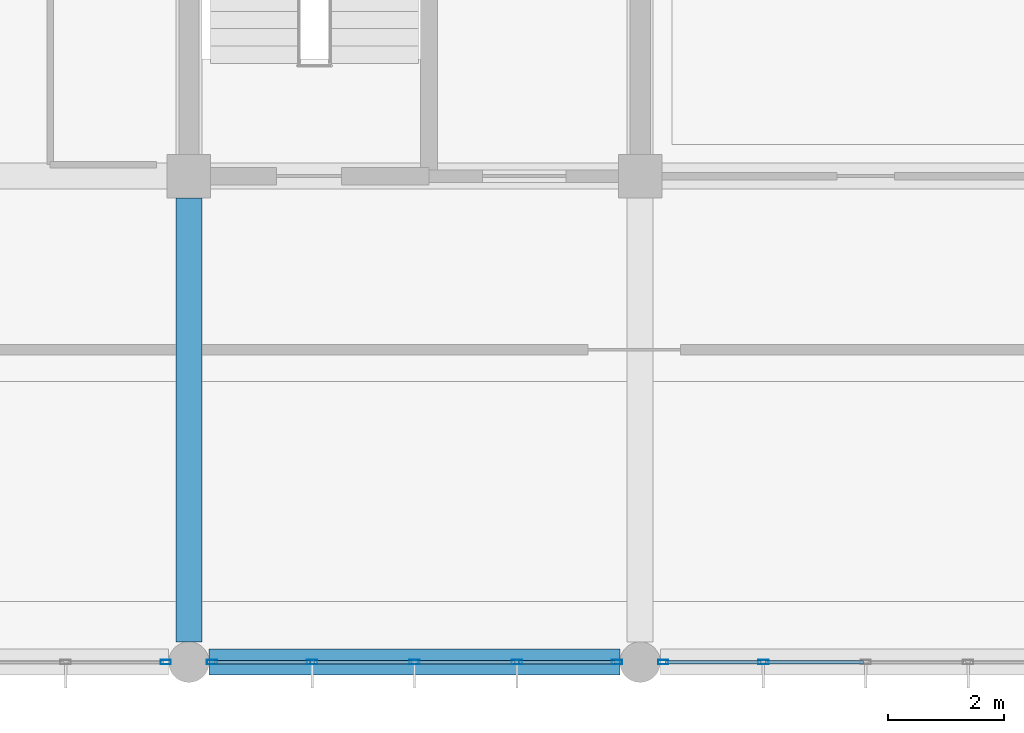
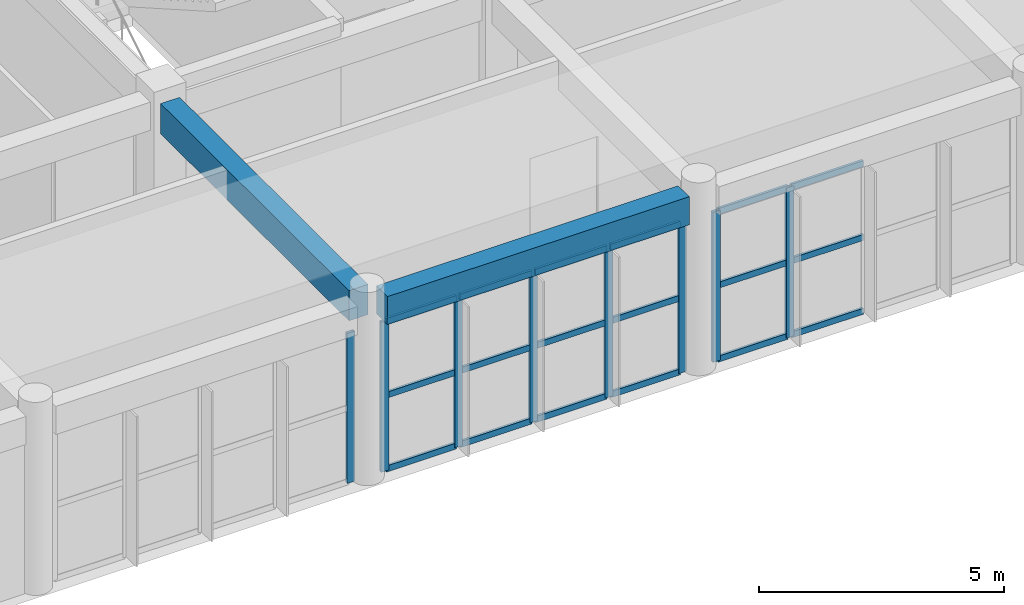
# One storey, part 24 of 167: 26 members, 2 beams, 3 elements without a shape of their own.
"""IFC4 building model written with IfcOpenShell, lengths in metres."""

from ifc_helpers import new_model, si_unit, direction, frame, origin, origin_2d, place, context, subcontext, project, spatial, rectangle, hollow_rectangle, extrude, material, layer, layer_set, material_profile, profile_set, type_object, element, aggregate, save


model = new_model("IFC4")

# Units and contexts
model_context = context("Model", 3, precision=1e-05, world=origin(), true_north=direction((0.0, 1.0)))
body_context = subcontext(model_context, "Body", "Model", "MODEL_VIEW")
ifc_project = project(units=[si_unit("LENGTHUNIT", "METRE"), si_unit("AREAUNIT", "SQUARE_METRE"), si_unit("VOLUMEUNIT", "CUBIC_METRE"), si_unit("PLANEANGLEUNIT", "RADIAN"), si_unit("MASSUNIT", "GRAM", prefix="KILO")], contexts=[model_context])

# Site, building, storey
site_placement = place(None, origin())
site = spatial("IfcSite", under=ifc_project, at=site_placement, CompositionType="ELEMENT")
building_placement = place(site_placement, origin())
building = spatial("IfcBuilding", under=site, at=building_placement, Name="Zizhar Promenade General Hospital", CompositionType="ELEMENT")
storey_placement = place(building_placement, frame((0.0, 0.0, 9.60009765625)))
storey = spatial("IfcBuildingStorey", under=building, at=storey_placement, Name="L02", CompositionType="ELEMENT", Elevation=9.60009765625)

# Beams
ifc_material_1 = material(Name="Concrete C35/45", Category="concrete")
ifc_material_profile_1 = material_profile(ifc_material_1, rectangle(XDim=0.449951171875, YDim=0.699951171875, at=origin_2d()))
ifc_profile_set_1 = profile_set([ifc_material_profile_1], Name="Concrete C35/45")
beam_type_1 = type_object("IfcBeamType", Name="BM-RC-450x700", PredefinedType="BEAM", material=ifc_profile_set_1)
beam_1_placement = place(storey_placement, frame((62.75, 0.0, 4.119873046875), z_axis=(1.0, 0.0, 0.0), x_axis=(0.0, 1.0, 0.0)))
element("IfcBeam", 1, at=beam_1_placement, inside=storey, type_object=beam_type_1, Name="Grid Beam X L02 (8-0)", PredefinedType="BEAM", context=body_context, shape_type="SweptSolid", body=[
    extrude(rectangle(XDim=0.449951171875, YDim=0.699951171875, at=origin_2d()), origin(), (0.0, 0.0, 1.0), 7.10009765625),
])
ifc_material_2 = material(Name="Concrete C35/45", Category="concrete")
ifc_material_profile_2 = material_profile(ifc_material_2, rectangle(XDim=0.449951171875, YDim=0.75, at=origin_2d()))
ifc_profile_set_2 = profile_set([ifc_material_profile_2], Name="Concrete C35/45")
beam_type_2 = type_object("IfcBeamType", Name="BM-RC-450x750", PredefinedType="BEAM", material=ifc_profile_set_2)
beam_2_placement = place(storey_placement, frame((62.39990234375, 0.35009765625, 4.094970703125), z_axis=(0.0, 1.0, 0.0), x_axis=(-1.0, 0.0, 0.0)))
element("IfcBeam", 2, at=beam_2_placement, inside=storey, type_object=beam_type_2, Name="Grid Beam Y L02 (8-0)", PredefinedType="BEAM", context=body_context, shape_type="SweptSolid", body=[
    extrude(rectangle(XDim=0.449951171875, YDim=0.75, at=origin_2d()), origin(), (0.0, 0.0, 1.0), 7.6748046875),
])

# Curtain wall, member
ifc_material_3 = material(Name="Anodised aluminium 6063-T6 and low-E glass", Category="aluminium")
ifc_layer = layer(ifc_material_3, 0.159912109375)
ifc_layer_set = layer_set([ifc_layer], Name="Anodised aluminium 6063-T6 and low-E glass")
curtain_wall_type = type_object("IfcCurtainWallType", Name="CW-DT-MOD1", PredefinedType="NOTDEFINED", material=ifc_layer_set)
curtain_wall_1_placement = place(storey_placement, origin())
curtain_wall_1 = element("IfcCurtainWall", 3, at=curtain_wall_1_placement, inside=storey, type_object=curtain_wall_type, Name="Riverfront Clinical Curtain Wall L02-6", PredefinedType="NOTDEFINED")
ifc_material_4 = material(Name="Anodised aluminium 6063-T6", Category="aluminium")
ifc_material_profile_3 = material_profile(ifc_material_4, hollow_rectangle(XDim=0.080078125, YDim=0.179931640625, WallThickness=0.0048828125, at=origin_2d()))
ifc_profile_set_3 = profile_set([ifc_material_profile_3], Name="Anodised aluminium 6063-T6")
member_type_1 = type_object("IfcMemberType", Name="CWM-ALU-180x80", PredefinedType="MULLION", material=ifc_profile_set_3)
member_1_placement = place(storey_placement, frame((62.0, 0.0, 0.0), z_axis=(0.0, 0.0, 1.0), x_axis=(0.0, -1.0, 0.0)))
member_1 = element("IfcMember", 4, at=member_1_placement, type_object=member_type_1, Name="CW-07 mullion 1", PredefinedType="MULLION", context=body_context, shape_type="SweptSolid", body=[
    extrude(hollow_rectangle(XDim=0.080078125, YDim=0.179931640625, WallThickness=0.0048828125, at=origin_2d()), origin(), (0.0, 0.0, 1.0), 3.72998046875),
])
aggregate(curtain_wall_1, [member_1])

# Curtain wall, members
curtain_wall_2_placement = place(storey_placement, origin())
curtain_wall_2 = element("IfcCurtainWall", 5, at=curtain_wall_2_placement, inside=storey, type_object=curtain_wall_type, Name="Riverfront Clinical Curtain Wall L02-7", PredefinedType="NOTDEFINED")
member_2_placement = place(storey_placement, frame((69.800048828125, 0.0, 0.0), z_axis=(0.0, 0.0, 1.0), x_axis=(0.0, -1.0, 0.0)))
member_2 = element("IfcMember", 6, at=member_2_placement, type_object=member_type_1, Name="CW-07 mullion 1", PredefinedType="MULLION", context=body_context, shape_type="SweptSolid", body=[
    extrude(hollow_rectangle(XDim=0.080078125, YDim=0.179931640625, WallThickness=0.0048828125, at=origin_2d()), origin(), (0.0, 0.0, 1.0), 3.72998046875),
])
member_3_placement = place(storey_placement, frame((68.070068359375, 0.0, 0.0), z_axis=(0.0, 0.0, 1.0), x_axis=(0.0, -1.0, 0.0)))
member_3 = element("IfcMember", 7, at=member_3_placement, type_object=member_type_1, Name="CW-07 mullion 2", PredefinedType="MULLION", context=body_context, shape_type="SweptSolid", body=[
    extrude(hollow_rectangle(XDim=0.080078125, YDim=0.179931640625, WallThickness=0.0048828125, at=origin_2d()), origin(), (0.0, 0.0, 1.0), 3.72998046875),
])
member_4_placement = place(storey_placement, frame((66.300048828125, 0.0, 0.0), z_axis=(0.0, 0.0, 1.0), x_axis=(0.0, -1.0, 0.0)))
member_4 = element("IfcMember", 8, at=member_4_placement, type_object=member_type_1, Name="CW-07 mullion 3", PredefinedType="MULLION", context=body_context, shape_type="SweptSolid", body=[
    extrude(hollow_rectangle(XDim=0.080078125, YDim=0.179931640625, WallThickness=0.0048828125, at=origin_2d()), origin(), (0.0, 0.0, 1.0), 3.72998046875),
])
member_5_placement = place(storey_placement, frame((64.530029296875, 0.0, 0.0), z_axis=(0.0, 0.0, 1.0), x_axis=(0.0, -1.0, 0.0)))
member_5 = element("IfcMember", 9, at=member_5_placement, type_object=member_type_1, Name="CW-07 mullion 4", PredefinedType="MULLION", context=body_context, shape_type="SweptSolid", body=[
    extrude(hollow_rectangle(XDim=0.080078125, YDim=0.179931640625, WallThickness=0.0048828125, at=origin_2d()), origin(), (0.0, 0.0, 1.0), 3.72998046875),
])
member_6_placement = place(storey_placement, frame((62.800048828125, 0.0, 0.0), z_axis=(0.0, 0.0, 1.0), x_axis=(0.0, -1.0, 0.0)))
member_6 = element("IfcMember", 10, at=member_6_placement, type_object=member_type_1, Name="CW-07 mullion 5", PredefinedType="MULLION", context=body_context, shape_type="SweptSolid", body=[
    extrude(hollow_rectangle(XDim=0.080078125, YDim=0.179931640625, WallThickness=0.0048828125, at=origin_2d()), origin(), (0.0, 0.0, 1.0), 3.72998046875),
])

curtain_wall_3_placement = place(storey_placement, origin())
curtain_wall_3 = element("IfcCurtainWall", 11, at=curtain_wall_3_placement, inside=storey, type_object=curtain_wall_type, Name="Riverfront Clinical Curtain Wall L02-8", PredefinedType="NOTDEFINED")
member_7_placement = place(storey_placement, frame((72.330078125, 0.0, 0.0), z_axis=(0.0, 0.0, 1.0), x_axis=(0.0, -1.0, 0.0)))
member_7 = element("IfcMember", 12, at=member_7_placement, type_object=member_type_1, Name="CW-07 mullion 4", PredefinedType="MULLION", context=body_context, shape_type="SweptSolid", body=[
    extrude(hollow_rectangle(XDim=0.080078125, YDim=0.179931640625, WallThickness=0.0048828125, at=origin_2d()), origin(), (0.0, 0.0, 1.0), 3.72998046875),
])
member_8_placement = place(storey_placement, frame((70.60009765625, 0.0, 0.0), z_axis=(0.0, 0.0, 1.0), x_axis=(0.0, -1.0, 0.0)))
member_8 = element("IfcMember", 13, at=member_8_placement, type_object=member_type_1, Name="CW-07 mullion 5", PredefinedType="MULLION", context=body_context, shape_type="SweptSolid", body=[
    extrude(hollow_rectangle(XDim=0.080078125, YDim=0.179931640625, WallThickness=0.0048828125, at=origin_2d()), origin(), (0.0, 0.0, 1.0), 3.72998046875),
])

# Member
ifc_material_5 = material(Name="Anodised aluminium 6063-T6", Category="aluminium")
ifc_material_profile_4 = material_profile(ifc_material_5, hollow_rectangle(XDim=0.06005859375, YDim=0.14990234375, WallThickness=0.00390625, at=origin_2d()))
ifc_profile_set_4 = profile_set([ifc_material_profile_4], Name="Anodised aluminium 6063-T6")
member_type_2 = type_object("IfcMemberType", Name="CWT-ALU-150x60", PredefinedType="USERDEFINED", material=ifc_profile_set_4)
member_9_placement = place(storey_placement, frame((69.760009765625, 0.0, 0.02978515625), z_axis=(-1.0, 0.0, 0.0), x_axis=(0.0, -1.0, 0.0)))
member_9 = element("IfcMember", 14, at=member_9_placement, type_object=member_type_2, Name="CW-07 transom 1.1", ObjectType="TRANSOM", PredefinedType="USERDEFINED", context=body_context, shape_type="SweptSolid", body=[
    extrude(hollow_rectangle(XDim=0.06005859375, YDim=0.14990234375, WallThickness=0.00390625, at=origin_2d()), origin(), (0.0, 0.0, 1.0), 1.64990234375),
])

member_10_placement = place(storey_placement, frame((69.760009765625, 0.0, 1.864990234375), z_axis=(-1.0, 0.0, 0.0), x_axis=(0.0, -1.0, 0.0)))
member_10 = element("IfcMember", 15, at=member_10_placement, type_object=member_type_2, Name="CW-07 transom 1.2", ObjectType="TRANSOM", PredefinedType="USERDEFINED", context=body_context, shape_type="SweptSolid", body=[
    extrude(hollow_rectangle(XDim=0.06005859375, YDim=0.14990234375, WallThickness=0.00390625, at=origin_2d()), origin(), (0.0, 0.0, 1.0), 1.64990234375),
])

member_11_placement = place(storey_placement, frame((69.760009765625, 0.0, 3.699951171875), z_axis=(-1.0, 0.0, 0.0), x_axis=(0.0, -1.0, 0.0)))
member_11 = element("IfcMember", 16, at=member_11_placement, type_object=member_type_2, Name="CW-07 transom 1.3", ObjectType="TRANSOM", PredefinedType="USERDEFINED", context=body_context, shape_type="SweptSolid", body=[
    extrude(hollow_rectangle(XDim=0.06005859375, YDim=0.14990234375, WallThickness=0.00390625, at=origin_2d()), origin(), (0.0, 0.0, 1.0), 1.64990234375),
])

member_12_placement = place(storey_placement, frame((68.030029296875, 0.0, 0.02978515625), z_axis=(-1.0, 0.0, 0.0), x_axis=(0.0, -1.0, 0.0)))
member_12 = element("IfcMember", 17, at=member_12_placement, type_object=member_type_2, Name="CW-07 transom 2.1", ObjectType="TRANSOM", PredefinedType="USERDEFINED", context=body_context, shape_type="SweptSolid", body=[
    extrude(hollow_rectangle(XDim=0.06005859375, YDim=0.14990234375, WallThickness=0.00390625, at=origin_2d()), origin(), (0.0, 0.0, 1.0), 1.68994140625),
])

member_13_placement = place(storey_placement, frame((68.030029296875, 0.0, 1.864990234375), z_axis=(-1.0, 0.0, 0.0), x_axis=(0.0, -1.0, 0.0)))
member_13 = element("IfcMember", 18, at=member_13_placement, type_object=member_type_2, Name="CW-07 transom 2.2", ObjectType="TRANSOM", PredefinedType="USERDEFINED", context=body_context, shape_type="SweptSolid", body=[
    extrude(hollow_rectangle(XDim=0.06005859375, YDim=0.14990234375, WallThickness=0.00390625, at=origin_2d()), origin(), (0.0, 0.0, 1.0), 1.68994140625),
])

member_14_placement = place(storey_placement, frame((68.030029296875, 0.0, 3.699951171875), z_axis=(-1.0, 0.0, 0.0), x_axis=(0.0, -1.0, 0.0)))
member_14 = element("IfcMember", 19, at=member_14_placement, type_object=member_type_2, Name="CW-07 transom 2.3", ObjectType="TRANSOM", PredefinedType="USERDEFINED", context=body_context, shape_type="SweptSolid", body=[
    extrude(hollow_rectangle(XDim=0.06005859375, YDim=0.14990234375, WallThickness=0.00390625, at=origin_2d()), origin(), (0.0, 0.0, 1.0), 1.68994140625),
])

member_15_placement = place(storey_placement, frame((66.260009765625, 0.0, 0.02978515625), z_axis=(-1.0, 0.0, 0.0), x_axis=(0.0, -1.0, 0.0)))
member_15 = element("IfcMember", 20, at=member_15_placement, type_object=member_type_2, Name="CW-07 transom 3.1", ObjectType="TRANSOM", PredefinedType="USERDEFINED", context=body_context, shape_type="SweptSolid", body=[
    extrude(hollow_rectangle(XDim=0.06005859375, YDim=0.14990234375, WallThickness=0.00390625, at=origin_2d()), origin(), (0.0, 0.0, 1.0), 1.68994140625),
])

member_16_placement = place(storey_placement, frame((66.260009765625, 0.0, 1.864990234375), z_axis=(-1.0, 0.0, 0.0), x_axis=(0.0, -1.0, 0.0)))
member_16 = element("IfcMember", 21, at=member_16_placement, type_object=member_type_2, Name="CW-07 transom 3.2", ObjectType="TRANSOM", PredefinedType="USERDEFINED", context=body_context, shape_type="SweptSolid", body=[
    extrude(hollow_rectangle(XDim=0.06005859375, YDim=0.14990234375, WallThickness=0.00390625, at=origin_2d()), origin(), (0.0, 0.0, 1.0), 1.68994140625),
])

member_17_placement = place(storey_placement, frame((66.260009765625, 0.0, 3.699951171875), z_axis=(-1.0, 0.0, 0.0), x_axis=(0.0, -1.0, 0.0)))
member_17 = element("IfcMember", 22, at=member_17_placement, type_object=member_type_2, Name="CW-07 transom 3.3", ObjectType="TRANSOM", PredefinedType="USERDEFINED", context=body_context, shape_type="SweptSolid", body=[
    extrude(hollow_rectangle(XDim=0.06005859375, YDim=0.14990234375, WallThickness=0.00390625, at=origin_2d()), origin(), (0.0, 0.0, 1.0), 1.68994140625),
])

member_18_placement = place(storey_placement, frame((64.489990234375, 0.0, 0.02978515625), z_axis=(-1.0, 0.0, 0.0), x_axis=(0.0, -1.0, 0.0)))
member_18 = element("IfcMember", 23, at=member_18_placement, type_object=member_type_2, Name="CW-07 transom 4.1", ObjectType="TRANSOM", PredefinedType="USERDEFINED", context=body_context, shape_type="SweptSolid", body=[
    extrude(hollow_rectangle(XDim=0.06005859375, YDim=0.14990234375, WallThickness=0.00390625, at=origin_2d()), origin(), (0.0, 0.0, 1.0), 1.64990234375),
])

member_19_placement = place(storey_placement, frame((64.489990234375, 0.0, 1.864990234375), z_axis=(-1.0, 0.0, 0.0), x_axis=(0.0, -1.0, 0.0)))
member_19 = element("IfcMember", 24, at=member_19_placement, type_object=member_type_2, Name="CW-07 transom 4.2", ObjectType="TRANSOM", PredefinedType="USERDEFINED", context=body_context, shape_type="SweptSolid", body=[
    extrude(hollow_rectangle(XDim=0.06005859375, YDim=0.14990234375, WallThickness=0.00390625, at=origin_2d()), origin(), (0.0, 0.0, 1.0), 1.64990234375),
])

member_20_placement = place(storey_placement, frame((64.489990234375, 0.0, 3.699951171875), z_axis=(-1.0, 0.0, 0.0), x_axis=(0.0, -1.0, 0.0)))
member_20 = element("IfcMember", 25, at=member_20_placement, type_object=member_type_2, Name="CW-07 transom 4.3", ObjectType="TRANSOM", PredefinedType="USERDEFINED", context=body_context, shape_type="SweptSolid", body=[
    extrude(hollow_rectangle(XDim=0.06005859375, YDim=0.14990234375, WallThickness=0.00390625, at=origin_2d()), origin(), (0.0, 0.0, 1.0), 1.64990234375),
])

aggregate(curtain_wall_2, [member_2, member_3, member_4, member_5, member_6, member_9, member_10, member_11, member_12, member_13, member_14, member_15, member_16, member_17, member_18, member_19, member_20])

member_21_placement = place(storey_placement, frame((74.06005859375, 0.0, 0.02978515625), z_axis=(-1.0, 0.0, 0.0), x_axis=(0.0, -1.0, 0.0)))
member_21 = element("IfcMember", 26, at=member_21_placement, type_object=member_type_2, Name="CW-07 transom 3.1", ObjectType="TRANSOM", PredefinedType="USERDEFINED", context=body_context, shape_type="SweptSolid", body=[
    extrude(hollow_rectangle(XDim=0.06005859375, YDim=0.14990234375, WallThickness=0.00390625, at=origin_2d()), origin(), (0.0, 0.0, 1.0), 1.68994140625),
])

member_22_placement = place(storey_placement, frame((74.06005859375, 0.0, 1.864990234375), z_axis=(-1.0, 0.0, 0.0), x_axis=(0.0, -1.0, 0.0)))
member_22 = element("IfcMember", 27, at=member_22_placement, type_object=member_type_2, Name="CW-07 transom 3.2", ObjectType="TRANSOM", PredefinedType="USERDEFINED", context=body_context, shape_type="SweptSolid", body=[
    extrude(hollow_rectangle(XDim=0.06005859375, YDim=0.14990234375, WallThickness=0.00390625, at=origin_2d()), origin(), (0.0, 0.0, 1.0), 1.68994140625),
])

member_23_placement = place(storey_placement, frame((74.06005859375, 0.0, 3.699951171875), z_axis=(-1.0, 0.0, 0.0), x_axis=(0.0, -1.0, 0.0)))
member_23 = element("IfcMember", 28, at=member_23_placement, type_object=member_type_2, Name="CW-07 transom 3.3", ObjectType="TRANSOM", PredefinedType="USERDEFINED", context=body_context, shape_type="SweptSolid", body=[
    extrude(hollow_rectangle(XDim=0.06005859375, YDim=0.14990234375, WallThickness=0.00390625, at=origin_2d()), origin(), (0.0, 0.0, 1.0), 1.68994140625),
])

member_24_placement = place(storey_placement, frame((72.2900390625, 0.0, 0.02978515625), z_axis=(-1.0, 0.0, 0.0), x_axis=(0.0, -1.0, 0.0)))
member_24 = element("IfcMember", 29, at=member_24_placement, type_object=member_type_2, Name="CW-07 transom 4.1", ObjectType="TRANSOM", PredefinedType="USERDEFINED", context=body_context, shape_type="SweptSolid", body=[
    extrude(hollow_rectangle(XDim=0.06005859375, YDim=0.14990234375, WallThickness=0.00390625, at=origin_2d()), origin(), (0.0, 0.0, 1.0), 1.650146484375),
])

member_25_placement = place(storey_placement, frame((72.2900390625, 0.0, 1.864990234375), z_axis=(-1.0, 0.0, 0.0), x_axis=(0.0, -1.0, 0.0)))
member_25 = element("IfcMember", 30, at=member_25_placement, type_object=member_type_2, Name="CW-07 transom 4.2", ObjectType="TRANSOM", PredefinedType="USERDEFINED", context=body_context, shape_type="SweptSolid", body=[
    extrude(hollow_rectangle(XDim=0.06005859375, YDim=0.14990234375, WallThickness=0.00390625, at=origin_2d()), origin(), (0.0, 0.0, 1.0), 1.650146484375),
])

member_26_placement = place(storey_placement, frame((72.2900390625, 0.0, 3.699951171875), z_axis=(-1.0, 0.0, 0.0), x_axis=(0.0, -1.0, 0.0)))
member_26 = element("IfcMember", 31, at=member_26_placement, type_object=member_type_2, Name="CW-07 transom 4.3", ObjectType="TRANSOM", PredefinedType="USERDEFINED", context=body_context, shape_type="SweptSolid", body=[
    extrude(hollow_rectangle(XDim=0.06005859375, YDim=0.14990234375, WallThickness=0.00390625, at=origin_2d()), origin(), (0.0, 0.0, 1.0), 1.650146484375),
])

aggregate(curtain_wall_3, [member_7, member_8, member_21, member_22, member_23, member_24, member_25, member_26])

save(model, "model.ifc")
